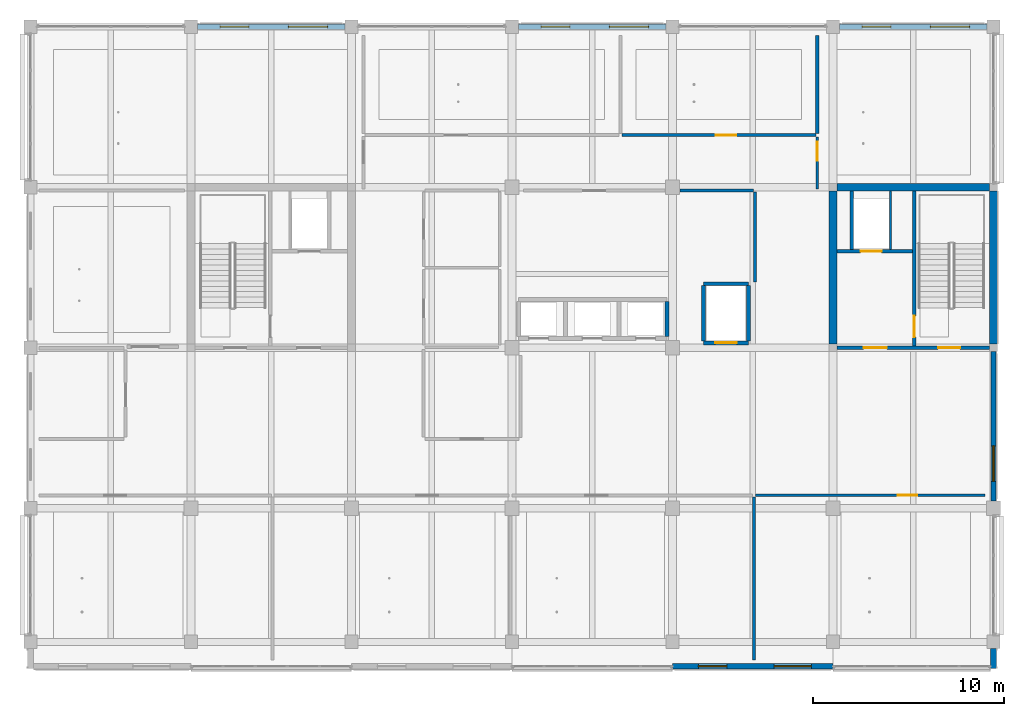
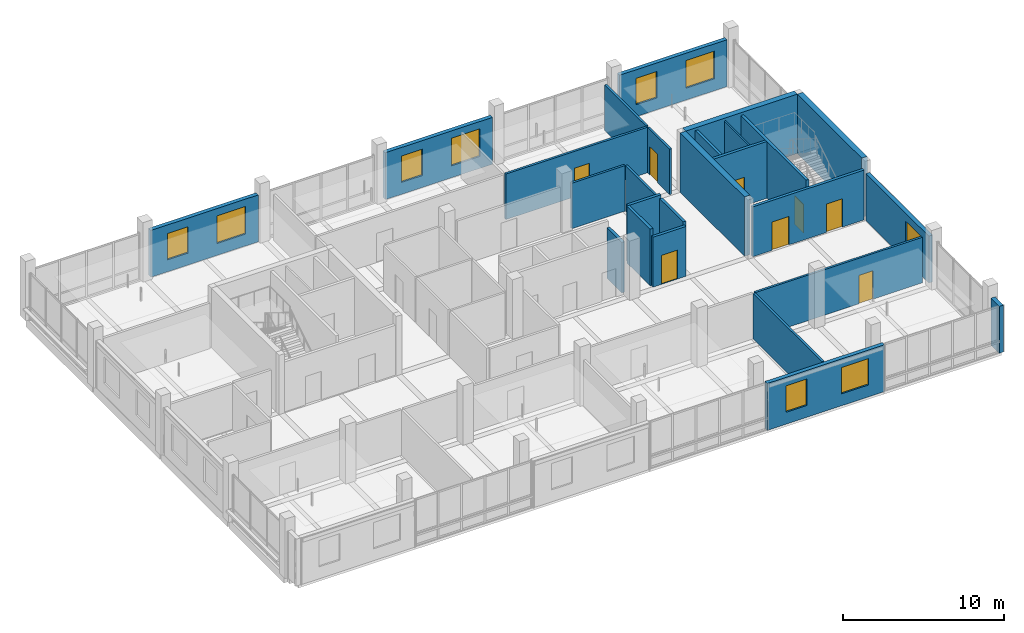
# One storey, part 13 of 32: 26 walls, 9 windows, 8 doors, 17 openings.
"""IFC4 building model written with IfcOpenShell, lengths in metres."""

from ifc_helpers import new_model, si_unit, direction, frame, frame_2d, origin, place, context, subcontext, project, spatial, rectangle, extrude, material, layer, layer_set, type_object, element, fill, save


model = new_model("IFC4")

# Units and contexts
model_context = context("Model", 3, precision=1e-05, world=origin(), true_north=direction((0.0, 1.0)))
body_context = subcontext(model_context, "Body", "Model", "MODEL_VIEW")
ifc_project = project(units=[si_unit("LENGTHUNIT", "METRE"), si_unit("AREAUNIT", "SQUARE_METRE"), si_unit("VOLUMEUNIT", "CUBIC_METRE"), si_unit("PLANEANGLEUNIT", "RADIAN"), si_unit("MASSUNIT", "GRAM", prefix="KILO")], contexts=[model_context])

# Site, building, storey
site_placement = place(None, origin())
site = spatial("IfcSite", under=ifc_project, at=site_placement, CompositionType="ELEMENT")
building_placement = place(site_placement, origin())
building = spatial("IfcBuilding", under=site, at=building_placement, Name="Telukmera Botanical Conservatory", CompositionType="ELEMENT")
storey_placement = place(building_placement, frame((0.0, 0.0, 42.0)))
storey = spatial("IfcBuildingStorey", under=building, at=storey_placement, Name="L09", CompositionType="ELEMENT", Elevation=42.0)

# Wall, openings, windows
ifc_material_1 = material(Name="Precast concrete C40/50", Category="concrete")
ifc_layer_1 = layer(ifc_material_1, 0.280029296875)
ifc_layer_set_1 = layer_set([ifc_layer_1], Name="Precast concrete C40/50")
wall_type_1 = type_object("IfcWallType", Name="Exterior Laboratory Modular Precast Wall 280", PredefinedType="ELEMENTEDWALL", material=ifc_layer_set_1)
wall_1_placement = place(storey_placement, frame((84.001953125, 9.320068359375, 0.0), z_axis=(0.0, 0.0, 1.0), x_axis=(1.0, 0.0, 0.0)))
wall_1 = element("IfcWall", 1, at=wall_1_placement, inside=storey, type_object=wall_type_1, Name="Exterior Precast Wall EW06 V4:L09:S5", PredefinedType="ELEMENTEDWALL", context=body_context, shape_type="SweptSolid", body=[
    extrude(rectangle(XDim=8.39599609375, YDim=0.280029296875, at=frame_2d((4.197998046875, 0.0))), origin(), (0.0, 0.0, 1.0), 3.550048828125),
])
opening_1_placement = place(wall_1_placement, frame((1.34912109375, 0.0, 0.89990234375)))
opening_1 = element("IfcOpeningElement", 2, at=opening_1_placement, cuts=wall_1, Name="Opening W06", PredefinedType="OPENING", context=body_context, shape_type="SweptSolid", body=[
    extrude(rectangle(XDim=1.5, YDim=2.0, at=frame_2d((0.75, 1.0))), frame((0.0, 0.14990234375, 0.0), z_axis=(0.0, -1.0, 0.0), x_axis=(1.0, 0.0, 0.0)), (0.0, 0.0, 1.0), 0.300048828125),
])
opening_2_placement = place(wall_1_placement, frame((5.322021484375, 0.0, 0.89990234375)))
opening_2 = element("IfcOpeningElement", 3, at=opening_2_placement, cuts=wall_1, Name="Opening W13", PredefinedType="OPENING", context=body_context, shape_type="SweptSolid", body=[
    extrude(rectangle(XDim=1.949951171875, YDim=2.0, at=frame_2d((0.97509765625, 1.0))), frame((0.0, 0.14990234375, 0.0), z_axis=(0.0, -1.0, 0.0), x_axis=(1.0, 0.0, 0.0)), (0.0, 0.0, 1.0), 0.300048828125),
])
ifc_material_2 = material(Name="Thermally broken anodised aluminium frame with low-E double glazing", Category="aluminium")
window_type_1 = type_object("IfcWindowType", Name="Double Vertical Laboratory Viewing Window 1500x2000", PartitioningType="DOUBLE_PANEL_VERTICAL", PredefinedType="WINDOW", material=ifc_material_2)
window_1_placement = place(opening_1_placement, origin())
window_1 = element("IfcWindow", 4, at=window_1_placement, inside=storey, type_object=window_type_1, Name="Facade Window W06 V4:L09:S5 1", OverallHeight=2.0, OverallWidth=1.5, PartitioningType="DOUBLE_PANEL_VERTICAL", PredefinedType="WINDOW", context=body_context, shape_type="SweptSolid", body=[
    extrude(rectangle(XDim=1.5, YDim=2.0, at=frame_2d((0.75, 1.0))), frame((0.0, 0.030029296875, 0.0), z_axis=(0.0, -1.0, 0.0), x_axis=(1.0, 0.0, 0.0)), (0.0, 0.0, 1.0), 0.06005859375),
])
fill(opening_1, window_1)
window_type_2 = type_object("IfcWindowType", Name="Triple Vertical Tissue Culture Lab Window 1950x2000", PartitioningType="TRIPLE_PANEL_VERTICAL", PredefinedType="WINDOW", material=ifc_material_2)
window_2_placement = place(opening_2_placement, origin())
window_2 = element("IfcWindow", 5, at=window_2_placement, inside=storey, type_object=window_type_2, Name="Facade Window W13 V4:L09:S5 2", OverallHeight=2.0, OverallWidth=1.949951171875, PartitioningType="TRIPLE_PANEL_VERTICAL", PredefinedType="WINDOW", context=body_context, shape_type="SweptSolid", body=[
    extrude(rectangle(XDim=1.949951171875, YDim=2.0, at=frame_2d((0.97509765625, 1.0))), frame((0.0, 0.030029296875, 0.0), z_axis=(0.0, -1.0, 0.0), x_axis=(1.0, 0.0, 0.0)), (0.0, 0.0, 1.0), 0.06005859375),
])
fill(opening_2, window_2)

wall_2_placement = place(storey_placement, frame((59.152099609375, 42.800048828125, 0.0), z_axis=(0.0, 0.0, 1.0), x_axis=(1.0, 0.0, 0.0)))
wall_2 = element("IfcWall", 6, at=wall_2_placement, inside=storey, type_object=wall_type_1, Name="Exterior Precast Wall EW06 V4:L09:N2", PredefinedType="ELEMENTEDWALL", context=body_context, shape_type="SweptSolid", body=[
    extrude(rectangle(XDim=7.69580078125, YDim=0.280029296875, at=frame_2d((3.847900390625, 0.0))), origin(), (0.0, 0.0, 1.0), 3.550048828125),
])
opening_3_placement = place(wall_2_placement, frame((1.174072265625, 0.0, 0.89990234375)))
opening_3 = element("IfcOpeningElement", 7, at=opening_3_placement, cuts=wall_2, Name="Opening W06", PredefinedType="OPENING", context=body_context, shape_type="SweptSolid", body=[
    extrude(rectangle(XDim=1.5, YDim=2.0, at=frame_2d((0.75, 1.0))), frame((0.0, 0.14990234375, 0.0), z_axis=(0.0, -1.0, 0.0), x_axis=(1.0, 0.0, 0.0)), (0.0, 0.0, 1.0), 0.300048828125),
])
opening_4_placement = place(wall_2_placement, frame((4.7470703125, 0.0, 0.89990234375)))
opening_4 = element("IfcOpeningElement", 8, at=opening_4_placement, cuts=wall_2, Name="Opening W14", PredefinedType="OPENING", context=body_context, shape_type="SweptSolid", body=[
    extrude(rectangle(XDim=2.050048828125, YDim=2.10009765625, at=frame_2d((1.02490234375, 1.050048828125))), frame((0.0, 0.14990234375, 0.0), z_axis=(0.0, -1.0, 0.0), x_axis=(1.0, 0.0, 0.0)), (0.0, 0.0, 1.0), 0.300048828125),
])
window_3_placement = place(opening_3_placement, origin())
window_3 = element("IfcWindow", 9, at=window_3_placement, inside=storey, type_object=window_type_1, Name="Facade Window W06 V4:L09:N2 1", OverallHeight=2.0, OverallWidth=1.5, PartitioningType="DOUBLE_PANEL_VERTICAL", PredefinedType="WINDOW", context=body_context, shape_type="SweptSolid", body=[
    extrude(rectangle(XDim=1.5, YDim=2.0, at=frame_2d((0.75, 1.0))), frame((0.0, 0.030029296875, 0.0), z_axis=(0.0, -1.0, 0.0), x_axis=(1.0, 0.0, 0.0)), (0.0, 0.0, 1.0), 0.06005859375),
])
fill(opening_3, window_3)
window_type_3 = type_object("IfcWindowType", Name="Triple Vertical Microscopy Lab Window 2050x2100", PartitioningType="TRIPLE_PANEL_VERTICAL", PredefinedType="WINDOW", material=ifc_material_2)
window_4_placement = place(opening_4_placement, origin())
window_4 = element("IfcWindow", 10, at=window_4_placement, inside=storey, type_object=window_type_3, Name="Facade Window W14 V4:L09:N2 2", OverallHeight=2.10009765625, OverallWidth=2.050048828125, PartitioningType="TRIPLE_PANEL_VERTICAL", PredefinedType="WINDOW", context=body_context, shape_type="SweptSolid", body=[
    extrude(rectangle(XDim=2.050048828125, YDim=2.10009765625, at=frame_2d((1.02490234375, 1.050048828125))), frame((0.0, 0.030029296875, 0.0), z_axis=(0.0, -1.0, 0.0), x_axis=(1.0, 0.0, 0.0)), (0.0, 0.0, 1.0), 0.06005859375),
])
fill(opening_4, window_4)

wall_3_placement = place(storey_placement, frame((75.951904296875, 42.800048828125, 0.0), z_axis=(0.0, 0.0, 1.0), x_axis=(1.0, 0.0, 0.0)))
wall_3 = element("IfcWall", 11, at=wall_3_placement, inside=storey, type_object=wall_type_1, Name="Exterior Precast Wall EW06 V4:L09:N4", PredefinedType="ELEMENTEDWALL", context=body_context, shape_type="SweptSolid", body=[
    extrude(rectangle(XDim=7.696044921875, YDim=0.280029296875, at=frame_2d((3.84814453125, 0.0))), origin(), (0.0, 0.0, 1.0), 3.550048828125),
])
opening_5_placement = place(wall_3_placement, frame((1.174072265625, 0.0, 0.89990234375)))
opening_5 = element("IfcOpeningElement", 12, at=opening_5_placement, cuts=wall_3, Name="Opening W06", PredefinedType="OPENING", context=body_context, shape_type="SweptSolid", body=[
    extrude(rectangle(XDim=1.5, YDim=2.0, at=frame_2d((0.75, 1.0))), frame((0.0, 0.14990234375, 0.0), z_axis=(0.0, -1.0, 0.0), x_axis=(1.0, 0.0, 0.0)), (0.0, 0.0, 1.0), 0.300048828125),
])
opening_6_placement = place(wall_3_placement, frame((4.7470703125, 0.0, 0.89990234375)))
opening_6 = element("IfcOpeningElement", 13, at=opening_6_placement, cuts=wall_3, Name="Opening W14", PredefinedType="OPENING", context=body_context, shape_type="SweptSolid", body=[
    extrude(rectangle(XDim=2.050048828125, YDim=2.10009765625, at=frame_2d((1.02490234375, 1.050048828125))), frame((0.0, 0.14990234375, 0.0), z_axis=(0.0, -1.0, 0.0), x_axis=(1.0, 0.0, 0.0)), (0.0, 0.0, 1.0), 0.300048828125),
])
window_5_placement = place(opening_5_placement, origin())
window_5 = element("IfcWindow", 14, at=window_5_placement, inside=storey, type_object=window_type_1, Name="Facade Window W06 V4:L09:N4 1", OverallHeight=2.0, OverallWidth=1.5, PartitioningType="DOUBLE_PANEL_VERTICAL", PredefinedType="WINDOW", context=body_context, shape_type="SweptSolid", body=[
    extrude(rectangle(XDim=1.5, YDim=2.0, at=frame_2d((0.75, 1.0))), frame((0.0, 0.030029296875, 0.0), z_axis=(0.0, -1.0, 0.0), x_axis=(1.0, 0.0, 0.0)), (0.0, 0.0, 1.0), 0.06005859375),
])
fill(opening_5, window_5)
window_6_placement = place(opening_6_placement, origin())
window_6 = element("IfcWindow", 15, at=window_6_placement, inside=storey, type_object=window_type_3, Name="Facade Window W14 V4:L09:N4 2", OverallHeight=2.10009765625, OverallWidth=2.050048828125, PartitioningType="TRIPLE_PANEL_VERTICAL", PredefinedType="WINDOW", context=body_context, shape_type="SweptSolid", body=[
    extrude(rectangle(XDim=2.050048828125, YDim=2.10009765625, at=frame_2d((1.02490234375, 1.050048828125))), frame((0.0, 0.030029296875, 0.0), z_axis=(0.0, -1.0, 0.0), x_axis=(1.0, 0.0, 0.0)), (0.0, 0.0, 1.0), 0.06005859375),
])
fill(opening_6, window_6)

wall_4_placement = place(storey_placement, frame((92.751953125, 42.800048828125, 0.0), z_axis=(0.0, 0.0, 1.0), x_axis=(1.0, 0.0, 0.0)))
wall_4 = element("IfcWall", 16, at=wall_4_placement, inside=storey, type_object=wall_type_1, Name="Exterior Precast Wall EW06 V4:L09:N6", PredefinedType="ELEMENTEDWALL", context=body_context, shape_type="SweptSolid", body=[
    extrude(rectangle(XDim=7.696044921875, YDim=0.280029296875, at=frame_2d((3.84814453125, 0.0))), origin(), (0.0, 0.0, 1.0), 3.550048828125),
])
opening_7_placement = place(wall_4_placement, frame((1.174072265625, 0.0, 0.89990234375)))
opening_7 = element("IfcOpeningElement", 17, at=opening_7_placement, cuts=wall_4, Name="Opening W06", PredefinedType="OPENING", context=body_context, shape_type="SweptSolid", body=[
    extrude(rectangle(XDim=1.5, YDim=2.0, at=frame_2d((0.75, 1.0))), frame((0.0, 0.14990234375, 0.0), z_axis=(0.0, -1.0, 0.0), x_axis=(1.0, 0.0, 0.0)), (0.0, 0.0, 1.0), 0.300048828125),
])
opening_8_placement = place(wall_4_placement, frame((4.7470703125, 0.0, 0.89990234375)))
opening_8 = element("IfcOpeningElement", 18, at=opening_8_placement, cuts=wall_4, Name="Opening W14", PredefinedType="OPENING", context=body_context, shape_type="SweptSolid", body=[
    extrude(rectangle(XDim=2.050048828125, YDim=2.10009765625, at=frame_2d((1.02490234375, 1.050048828125))), frame((0.0, 0.14990234375, 0.0), z_axis=(0.0, -1.0, 0.0), x_axis=(1.0, 0.0, 0.0)), (0.0, 0.0, 1.0), 0.300048828125),
])
window_7_placement = place(opening_7_placement, origin())
window_7 = element("IfcWindow", 19, at=window_7_placement, inside=storey, type_object=window_type_1, Name="Facade Window W06 V4:L09:N6 1", OverallHeight=2.0, OverallWidth=1.5, PartitioningType="DOUBLE_PANEL_VERTICAL", PredefinedType="WINDOW", context=body_context, shape_type="SweptSolid", body=[
    extrude(rectangle(XDim=1.5, YDim=2.0, at=frame_2d((0.75, 1.0))), frame((0.0, 0.030029296875, 0.0), z_axis=(0.0, -1.0, 0.0), x_axis=(1.0, 0.0, 0.0)), (0.0, 0.0, 1.0), 0.06005859375),
])
fill(opening_7, window_7)
window_8_placement = place(opening_8_placement, origin())
window_8 = element("IfcWindow", 20, at=window_8_placement, inside=storey, type_object=window_type_3, Name="Facade Window W14 V4:L09:N6 2", OverallHeight=2.10009765625, OverallWidth=2.050048828125, PartitioningType="TRIPLE_PANEL_VERTICAL", PredefinedType="WINDOW", context=body_context, shape_type="SweptSolid", body=[
    extrude(rectangle(XDim=2.050048828125, YDim=2.10009765625, at=frame_2d((1.02490234375, 1.050048828125))), frame((0.0, 0.030029296875, 0.0), z_axis=(0.0, -1.0, 0.0), x_axis=(1.0, 0.0, 0.0)), (0.0, 0.0, 1.0), 0.06005859375),
])
fill(opening_8, window_8)

# Wall, opening, window
wall_5_placement = place(storey_placement, frame((100.800048828125, 17.97705078125, 0.0), z_axis=(0.0, 0.0, 1.0), x_axis=(0.0, 1.0, 0.0)))
wall_5 = element("IfcWall", 21, at=wall_5_placement, inside=storey, type_object=wall_type_1, Name="Exterior Precast Wall EW06 V4:L09:E2", PredefinedType="ELEMENTEDWALL", context=body_context, shape_type="SweptSolid", body=[
    extrude(rectangle(XDim=7.821044921875, YDim=0.280029296875, at=frame_2d((3.91064453125, 0.0))), origin(), (0.0, 0.0, 1.0), 3.550048828125),
])
opening_9_placement = place(wall_5_placement, frame((1.0302734375, 0.0, 0.89990234375)))
opening_9 = element("IfcOpeningElement", 22, at=opening_9_placement, cuts=wall_5, Name="Opening W12", PredefinedType="OPENING", context=body_context, shape_type="SweptSolid", body=[
    extrude(rectangle(XDim=1.85009765625, YDim=2.050048828125, at=frame_2d((0.925048828125, 1.02490234375))), frame((0.0, 0.14990234375, 0.0), z_axis=(0.0, -1.0, 0.0), x_axis=(1.0, 0.0, 0.0)), (0.0, 0.0, 1.0), 0.300048828125),
])
window_type_4 = type_object("IfcWindowType", Name="Double Horizontal Seminar Suite Window 1850x2050", PartitioningType="DOUBLE_PANEL_HORIZONTAL", PredefinedType="WINDOW", material=ifc_material_2)
window_9_placement = place(opening_9_placement, origin())
window_9 = element("IfcWindow", 23, at=window_9_placement, inside=storey, type_object=window_type_4, Name="Facade Window W12 V4:L09:E2 1", OverallHeight=2.050048828125, OverallWidth=1.85009765625, PartitioningType="DOUBLE_PANEL_HORIZONTAL", PredefinedType="WINDOW", context=body_context, shape_type="SweptSolid", body=[
    extrude(rectangle(XDim=1.85009765625, YDim=2.050048828125, at=frame_2d((0.925048828125, 1.02490234375))), frame((0.0, 0.030029296875, 0.0), z_axis=(0.0, -1.0, 0.0), x_axis=(1.0, 0.0, 0.0)), (0.0, 0.0, 1.0), 0.06005859375),
])
fill(opening_9, window_9)

# Wall
ifc_material_3 = material(Name="Terracotta-faced precast concrete C40/50", Category="masonry")
ifc_layer_2 = layer(ifc_material_3, 0.300048828125)
ifc_layer_set_2 = layer_set([ifc_layer_2], Name="Terracotta-faced precast concrete C40/50")
wall_type_2 = type_object("IfcWallType", Name="Exterior Polychrome Terracotta Precast Wall 300", PredefinedType="SOLIDWALL", material=ifc_layer_set_2)
wall_6_placement = place(storey_placement, frame((100.800048828125, 9.199951171875, 0.0), z_axis=(0.0, 0.0, 1.0), x_axis=(0.0, 1.0, 0.0)))
element("IfcWall", 24, at=wall_6_placement, inside=storey, type_object=wall_type_2, Name="Exterior Precast Wall EW02 V4:L09:SEC", PredefinedType="SOLIDWALL", context=body_context, shape_type="SweptSolid", body=[
    extrude(rectangle(XDim=1.048095703125, YDim=0.300048828125, at=frame_2d((0.52392578125, 0.0))), origin(), (0.0, 0.0, 1.0), 3.550048828125),
])

# Wall, openings, doors
ifc_material_4 = material(Name="Concrete C40/50", Category="concrete")
ifc_layer_3 = layer(ifc_material_4, 0.199951171875)
ifc_layer_set_3 = layer_set([ifc_layer_3], Name="Concrete C40/50")
wall_type_3 = type_object("IfcWallType", Name="WT-CORE-200", PredefinedType="SOLIDWALL", material=ifc_layer_set_3)
wall_7_placement = place(storey_placement, frame((92.60009765625, 26.0, 0.0), z_axis=(0.0, 0.0, 1.0), x_axis=(1.0, 0.0, 0.0)))
wall_7 = element("IfcWall", 25, at=wall_7_placement, inside=storey, type_object=wall_type_3, Name="L09 Core C2 South Fire Wall", PredefinedType="SOLIDWALL", context=body_context, shape_type="SweptSolid", body=[
    extrude(rectangle(XDim=8.0, YDim=0.199951171875, at=frame_2d((4.0, 0.0))), origin(), (0.0, 0.0, 1.0), 3.780029296875),
])
opening_10_placement = place(wall_7_placement, frame((1.39990234375, 0.0, 0.0)))
opening_10 = element("IfcOpeningElement", 26, at=opening_10_placement, cuts=wall_7, Name="Opening FD60C", PredefinedType="OPENING", context=body_context, shape_type="SweptSolid", body=[
    extrude(rectangle(XDim=1.219970703125, YDim=2.14990234375, at=frame_2d((0.60986328125, 1.074951171875))), frame((0.0, 0.10986328125, 0.0), z_axis=(0.0, -1.0, 0.0), x_axis=(1.0, 0.0, 0.0)), (0.0, 0.0, 1.0), 0.219970703125),
])
opening_11_placement = place(wall_7_placement, frame((5.300048828125, 0.0, 0.0)))
opening_11 = element("IfcOpeningElement", 27, at=opening_11_placement, cuts=wall_7, Name="Opening FD60A", PredefinedType="OPENING", context=body_context, shape_type="SweptSolid", body=[
    extrude(rectangle(XDim=1.14990234375, YDim=2.14990234375, at=frame_2d((0.574951171875, 1.074951171875))), frame((0.0, 0.10986328125, 0.0), z_axis=(0.0, -1.0, 0.0), x_axis=(1.0, 0.0, 0.0)), (0.0, 0.0, 1.0), 0.219970703125),
])
ifc_material_5 = material(Name="Hardwood fire door", Category="wood")
door_type_1 = type_object("IfcDoorType", Name="DT-FD60-01", OperationType="NOTDEFINED", PredefinedType="DOOR", material=ifc_material_5)
door_1_placement = place(opening_11_placement, origin())
door_1 = element("IfcDoor", 28, at=door_1_placement, inside=storey, type_object=door_type_1, Name="L09 Stair ST2 Escape Door", OperationType="SINGLE_SWING_RIGHT", OverallHeight=2.14990234375, OverallWidth=1.14990234375, PredefinedType="DOOR", context=body_context, shape_type="SweptSolid", body=[
    extrude(rectangle(XDim=1.14990234375, YDim=2.14990234375, at=frame_2d((0.574951171875, 1.074951171875))), frame((0.0, 0.02490234375, 0.0), z_axis=(0.0, -1.0, 0.0), x_axis=(1.0, 0.0, 0.0)), (0.0, 0.0, 1.0), 0.050048828125),
])
fill(opening_11, door_1)
door_type_2 = type_object("IfcDoorType", Name="DT-FD60-03", OperationType="NOTDEFINED", PredefinedType="DOOR", material=ifc_material_5)
door_2_placement = place(opening_10_placement, origin())
door_2 = element("IfcDoor", 29, at=door_2_placement, inside=storey, type_object=door_type_2, Name="L09 Firefighting Lobby C2 Door", OperationType="SINGLE_SWING_LEFT", OverallHeight=2.14990234375, OverallWidth=1.219970703125, PredefinedType="DOOR", context=body_context, shape_type="SweptSolid", body=[
    extrude(rectangle(XDim=1.219970703125, YDim=2.14990234375, at=frame_2d((0.60986328125, 1.074951171875))), frame((0.0, 0.02490234375, 0.0), z_axis=(0.0, -1.0, 0.0), x_axis=(1.0, 0.0, 0.0)), (0.0, 0.0, 1.0), 0.050048828125),
])
fill(opening_10, door_2)

# Wall, opening, door
wall_8_placement = place(storey_placement, frame((96.64990234375, 26.10009765625, 0.0), z_axis=(0.0, 0.0, 1.0), x_axis=(0.0, 1.0, 0.0)))
wall_8 = element("IfcWall", 30, at=wall_8_placement, inside=storey, type_object=wall_type_3, Name="L09 Core C2 Stair-Lobby Wall", PredefinedType="SOLIDWALL", context=body_context, shape_type="SweptSolid", body=[
    extrude(rectangle(XDim=8.099853515625, YDim=0.199951171875, at=frame_2d((4.0498046875, 0.0))), origin(), (0.0, 0.0, 1.0), 4.300048828125),
])
opening_12_placement = place(wall_8_placement, frame((0.449951171875, 0.0, 0.0)))
opening_12 = element("IfcOpeningElement", 31, at=opening_12_placement, cuts=wall_8, Name="Opening FD60B", PredefinedType="OPENING", context=body_context, shape_type="SweptSolid", body=[
    extrude(rectangle(XDim=1.1201171875, YDim=2.14990234375, at=frame_2d((0.56005859375, 1.074951171875))), frame((0.0, 0.10986328125, 0.0), z_axis=(0.0, -1.0, 0.0), x_axis=(1.0, 0.0, 0.0)), (0.0, 0.0, 1.0), 0.219970703125),
])
door_type_3 = type_object("IfcDoorType", Name="DT-FD60-02", OperationType="NOTDEFINED", PredefinedType="DOOR", material=ifc_material_5)
door_3_placement = place(opening_12_placement, frame((1.1201171875, 0.0, 0.0), z_axis=(0.0, 0.0, 1.0), x_axis=(-1.0, 0.0, 0.0)))
door_3 = element("IfcDoor", 32, at=door_3_placement, inside=storey, type_object=door_type_3, Name="L09 Firefighting Lobby C2 to ST2 Door", OperationType="SINGLE_SWING_LEFT", OverallHeight=2.14990234375, OverallWidth=1.1201171875, PredefinedType="DOOR", context=body_context, shape_type="SweptSolid", body=[
    extrude(rectangle(XDim=1.1201171875, YDim=2.14990234375, at=frame_2d((0.56005859375, 1.074951171875))), frame((0.0, 0.02490234375, 0.0), z_axis=(0.0, -1.0, 0.0), x_axis=(1.0, 0.0, 0.0)), (0.0, 0.0, 1.0), 0.050048828125),
])
fill(opening_12, door_3)

wall_9_placement = place(storey_placement, frame((92.60009765625, 31.050048828125, 0.0), z_axis=(0.0, 0.0, 1.0), x_axis=(1.0, 0.0, 0.0)))
wall_9 = element("IfcWall", 33, at=wall_9_placement, inside=storey, type_object=wall_type_3, Name="L09 Fire Lift FL2 Shaft Front Wall", PredefinedType="SOLIDWALL", context=body_context, shape_type="SweptSolid", body=[
    extrude(rectangle(XDim=3.949951171875, YDim=0.199951171875, at=frame_2d((1.97509765625, 0.0))), origin(), (0.0, 0.0, 1.0), 4.300048828125),
])
opening_13_placement = place(wall_9_placement, frame((1.25, 0.0, 0.0)))
opening_13 = element("IfcOpeningElement", 34, at=opening_13_placement, cuts=wall_9, Name="Opening LD01", PredefinedType="OPENING", context=body_context, shape_type="SweptSolid", body=[
    extrude(rectangle(XDim=1.10009765625, YDim=2.14990234375, at=frame_2d((0.550048828125, 1.074951171875))), frame((0.0, 0.10986328125, 0.0), z_axis=(0.0, -1.0, 0.0), x_axis=(1.0, 0.0, 0.0)), (0.0, 0.0, 1.0), 0.219970703125),
])
ifc_material_6 = material(Name="Stainless steel 316", Category="steel")
door_type_4 = type_object("IfcDoorType", Name="DT-LD01", OperationType="SLIDING_TO_LEFT", PredefinedType="DOOR", material=ifc_material_6)
door_4_placement = place(opening_13_placement, frame((1.10009765625, 0.0, 0.0), z_axis=(0.0, 0.0, 1.0), x_axis=(-1.0, 0.0, 0.0)))
door_4 = element("IfcDoor", 35, at=door_4_placement, inside=storey, type_object=door_type_4, Name="L09 Lift Landing Door FL2", OperationType="SLIDING_TO_LEFT", OverallHeight=2.14990234375, OverallWidth=1.10009765625, PredefinedType="DOOR", context=body_context, shape_type="SweptSolid", body=[
    extrude(rectangle(XDim=1.10009765625, YDim=2.14990234375, at=frame_2d((0.550048828125, 1.074951171875))), frame((0.0, 0.02490234375, 0.0), z_axis=(0.0, -1.0, 0.0), x_axis=(1.0, 0.0, 0.0)), (0.0, 0.0, 1.0), 0.050048828125),
])
fill(opening_13, door_4)

# Walls
wall_10_placement = place(storey_placement, frame((93.3798828125, 31.14990234375, 0.0), z_axis=(0.0, 0.0, 1.0), x_axis=(0.0, 1.0, 0.0)))
element("IfcWall", 36, at=wall_10_placement, inside=storey, type_object=wall_type_3, Name="L09 Fire Lift FL2 Shaft West Wall", PredefinedType="SOLIDWALL", context=body_context, shape_type="SweptSolid", body=[
    extrude(rectangle(XDim=3.050048828125, YDim=0.199951171875, at=frame_2d((1.52490234375, 0.0))), origin(), (0.0, 0.0, 1.0), 4.300048828125),
])
wall_11_placement = place(storey_placement, frame((83.719970703125, 26.580078125, 0.0), z_axis=(0.0, 0.0, 1.0), x_axis=(0.0, 1.0, 0.0)))
element("IfcWall", 37, at=wall_11_placement, inside=storey, type_object=wall_type_3, Name="L09 Passenger Lift Shaft Wall 4", PredefinedType="SOLIDWALL", context=body_context, shape_type="SweptSolid", body=[
    extrude(rectangle(XDim=1.83984375, YDim=0.199951171875, at=frame_2d((0.919921875, 0.0))), origin(), (0.0, 0.0, 1.0), 3.830078125),
])

# Wall, opening, door
wall_12_placement = place(storey_placement, frame((85.6201171875, 26.25, 0.0), z_axis=(0.0, 0.0, 1.0), x_axis=(1.0, 0.0, 0.0)))
wall_12 = element("IfcWall", 38, at=wall_12_placement, inside=storey, type_object=wall_type_3, Name="L09 Goods Lift GL1 Front Wall", PredefinedType="SOLIDWALL", context=body_context, shape_type="SweptSolid", body=[
    extrude(rectangle(XDim=2.35986328125, YDim=0.199951171875, at=frame_2d((1.179931640625, 0.0))), origin(), (0.0, 0.0, 1.0), 3.780029296875),
])
opening_14_placement = place(wall_12_placement, frame((0.60498046875, 0.0, 0.0)))
opening_14 = element("IfcOpeningElement", 39, at=opening_14_placement, cuts=wall_12, Name="Opening LD02", PredefinedType="OPENING", context=body_context, shape_type="SweptSolid", body=[
    extrude(rectangle(XDim=1.14990234375, YDim=2.199951171875, at=frame_2d((0.574951171875, 1.10009765625))), frame((0.0, 0.10986328125, 0.0), z_axis=(0.0, -1.0, 0.0), x_axis=(1.0, 0.0, 0.0)), (0.0, 0.0, 1.0), 0.219970703125),
])
door_type_5 = type_object("IfcDoorType", Name="DT-LD02", OperationType="SLIDING_TO_LEFT", PredefinedType="DOOR", material=ifc_material_6)
door_5_placement = place(opening_14_placement, frame((1.14990234375, 0.0, 0.0), z_axis=(0.0, 0.0, 1.0), x_axis=(-1.0, 0.0, 0.0)))
door_5 = element("IfcDoor", 40, at=door_5_placement, inside=storey, type_object=door_type_5, Name="L09 Lift Landing Door GL1", OperationType="SLIDING_TO_LEFT", OverallHeight=2.199951171875, OverallWidth=1.14990234375, PredefinedType="DOOR", context=body_context, shape_type="SweptSolid", body=[
    extrude(rectangle(XDim=1.14990234375, YDim=2.199951171875, at=frame_2d((0.574951171875, 1.10009765625))), frame((0.0, 0.02490234375, 0.0), z_axis=(0.0, -1.0, 0.0), x_axis=(1.0, 0.0, 0.0)), (0.0, 0.0, 1.0), 0.050048828125),
])
fill(opening_14, door_5)

# Walls
wall_13_placement = place(storey_placement, frame((85.6201171875, 29.35009765625, 0.0), z_axis=(0.0, 0.0, 1.0), x_axis=(1.0, 0.0, 0.0)))
element("IfcWall", 41, at=wall_13_placement, inside=storey, type_object=wall_type_3, Name="L09 Goods Lift GL1 Rear Wall", PredefinedType="SOLIDWALL", context=body_context, shape_type="SweptSolid", body=[
    extrude(rectangle(XDim=2.35986328125, YDim=0.199951171875, at=frame_2d((1.179931640625, 0.0))), origin(), (0.0, 0.0, 1.0), 4.300048828125),
])
wall_14_placement = place(storey_placement, frame((85.6201171875, 26.35009765625, 0.0), z_axis=(0.0, 0.0, 1.0), x_axis=(0.0, 1.0, 0.0)))
element("IfcWall", 42, at=wall_14_placement, inside=storey, type_object=wall_type_3, Name="L09 Goods Lift GL1 Side Wall 1", PredefinedType="SOLIDWALL", context=body_context, shape_type="SweptSolid", body=[
    extrude(rectangle(XDim=2.89990234375, YDim=0.199951171875, at=frame_2d((1.449951171875, 0.0))), origin(), (0.0, 0.0, 1.0), 4.300048828125),
])
wall_15_placement = place(storey_placement, frame((87.97998046875, 26.35009765625, 0.0), z_axis=(0.0, 0.0, 1.0), x_axis=(0.0, 1.0, 0.0)))
element("IfcWall", 43, at=wall_15_placement, inside=storey, type_object=wall_type_3, Name="L09 Goods Lift GL1 Side Wall 2", PredefinedType="SOLIDWALL", context=body_context, shape_type="SweptSolid", body=[
    extrude(rectangle(XDim=2.89990234375, YDim=0.199951171875, at=frame_2d((1.449951171875, 0.0))), origin(), (0.0, 0.0, 1.0), 4.030029296875),
])
ifc_material_7 = material(Name="Gypsum acoustic stud partition")
ifc_layer_4 = layer(ifc_material_7, 0.159912109375)
ifc_layer_set_4 = layer_set([ifc_layer_4], Name="Gypsum acoustic stud partition")
wall_type_4 = type_object("IfcWallType", Name="WT-LAB-160", PredefinedType="PARTITIONING", material=ifc_layer_set_4)
wall_16_placement = place(storey_placement, frame((88.324951171875, 29.449951171875, 0.0), z_axis=(0.0, 0.0, 1.0), x_axis=(0.0, 1.0, 0.0)))
element("IfcWall", 44, at=wall_16_placement, inside=storey, type_object=wall_type_4, Name="L09 Interior Partition 06", PredefinedType="PARTITIONING", context=body_context, shape_type="SweptSolid", body=[
    extrude(rectangle(XDim=4.699951171875, YDim=0.159912109375, at=frame_2d((2.35009765625, 0.0))), origin(), (0.0, 0.0, 1.0), 3.449951171875),
])
wall_17_placement = place(storey_placement, frame((84.405029296875, 34.22509765625, 0.0), z_axis=(0.0, 0.0, 1.0), x_axis=(1.0, 0.0, 0.0)))
element("IfcWall", 45, at=wall_17_placement, inside=storey, type_object=wall_type_4, Name="L09 Interior Partition 08", PredefinedType="PARTITIONING", context=body_context, shape_type="SweptSolid", body=[
    extrude(rectangle(XDim=3.830078125, YDim=0.159912109375, at=frame_2d((1.9150390625, 0.0))), origin(), (0.0, 0.0, 1.0), 3.449951171875),
])
wall_18_placement = place(storey_placement, frame((88.27490234375, 9.64990234375, 0.0), z_axis=(0.0, 0.0, 1.0), x_axis=(0.0, 1.0, 0.0)))
element("IfcWall", 46, at=wall_18_placement, inside=storey, type_object=wall_type_4, Name="L09 Interior Partition 23", PredefinedType="PARTITIONING", context=body_context, shape_type="SweptSolid", body=[
    extrude(rectangle(XDim=8.53515625, YDim=0.159912109375, at=frame_2d((4.267578125, 0.0))), origin(), (0.0, 0.0, 1.0), 3.449951171875),
])

# Wall, opening, door
wall_19_placement = place(storey_placement, frame((81.35009765625, 37.125, 0.0), z_axis=(0.0, 0.0, 1.0), x_axis=(1.0, 0.0, 0.0)))
wall_19 = element("IfcWall", 47, at=wall_19_placement, inside=storey, type_object=wall_type_4, Name="L09 Interior Partition 26", PredefinedType="PARTITIONING", context=body_context, shape_type="SweptSolid", body=[
    extrude(rectangle(XDim=10.14990234375, YDim=0.159912109375, at=frame_2d((5.074951171875, 0.0))), origin(), (0.0, 0.0, 1.0), 3.449951171875),
])
opening_15_placement = place(wall_19_placement, frame((4.921875, 0.0, 0.0)))
opening_15 = element("IfcOpeningElement", 48, at=opening_15_placement, cuts=wall_19, Name="Opening ID12", PredefinedType="OPENING", context=body_context, shape_type="SweptSolid", body=[
    extrude(rectangle(XDim=1.06005859375, YDim=2.179931640625, at=frame_2d((0.530029296875, 1.08984375))), frame((0.0, 0.08984375, 0.0), z_axis=(0.0, -1.0, 0.0), x_axis=(1.0, 0.0, 0.0)), (0.0, 0.0, 1.0), 0.179931640625),
])
ifc_material_8 = material(Name="Light-tight microscopy door")
door_type_6 = type_object("IfcDoorType", Name="DT-MIC-106", OperationType="NOTDEFINED", PredefinedType="DOOR", material=ifc_material_8)
door_6_placement = place(opening_15_placement, origin())
door_6 = element("IfcDoor", 49, at=door_6_placement, inside=storey, type_object=door_type_6, Name="L09 Isotope Ratio Spectroscopy Room Door", OperationType="SINGLE_SWING_LEFT", OverallHeight=2.179931640625, OverallWidth=1.06005859375, PredefinedType="DOOR", context=body_context, shape_type="SweptSolid", body=[
    extrude(rectangle(XDim=1.06005859375, YDim=2.179931640625, at=frame_2d((0.530029296875, 1.08984375))), frame((0.0, 0.02490234375, 0.0), z_axis=(0.0, -1.0, 0.0), x_axis=(1.0, 0.0, 0.0)), (0.0, 0.0, 1.0), 0.050048828125),
])
fill(opening_15, door_6)

# Walls
wall_20_placement = place(storey_placement, frame((91.574951171875, 37.215087890625, 0.0), z_axis=(0.0, 0.0, 1.0), x_axis=(0.0, 1.0, 0.0)))
element("IfcWall", 50, at=wall_20_placement, inside=storey, type_object=wall_type_4, Name="L09 Interior Partition 30", PredefinedType="PARTITIONING", context=body_context, shape_type="SweptSolid", body=[
    extrude(rectangle(XDim=5.135009765625, YDim=0.159912109375, at=frame_2d((2.5673828125, 0.0))), origin(), (0.0, 0.0, 1.0), 3.449951171875),
])
ifc_material_9 = material(Name="Gypsum shaftwall liner")
ifc_layer_5 = layer(ifc_material_9, 0.110107421875)
ifc_layer_set_5 = layer_set([ifc_layer_5], Name="Gypsum shaftwall liner")
wall_type_5 = type_object("IfcWallType", Name="WT-RISER-110", PredefinedType="PARTITIONING", material=ifc_layer_set_5)
wall_21_placement = place(storey_placement, frame((95.419921875, 31.14990234375, 0.0), z_axis=(0.0, 0.0, 1.0), x_axis=(0.0, 1.0, 0.0)))
element("IfcWall", 51, at=wall_21_placement, inside=storey, type_object=wall_type_5, Name="L09 Wet Riser C2 Shaft Wall", PredefinedType="PARTITIONING", context=body_context, shape_type="SweptSolid", body=[
    extrude(rectangle(XDim=3.050048828125, YDim=0.110107421875, at=frame_2d((1.52490234375, 0.0))), origin(), (0.0, 0.0, 1.0), 4.300048828125),
])

# Wall, opening, door
ifc_layer_6 = layer(ifc_material_7, 0.14990234375)
ifc_layer_set_6 = layer_set([ifc_layer_6], Name="Gypsum acoustic stud partition")
wall_type_6 = type_object("IfcWallType", Name="WT-STD-150", PredefinedType="PARTITIONING", material=ifc_layer_set_6)
wall_22_placement = place(storey_placement, frame((88.35009765625, 18.27490234375, 0.0), z_axis=(0.0, 0.0, 1.0), x_axis=(1.0, 0.0, 0.0)))
wall_22 = element("IfcWall", 52, at=wall_22_placement, inside=storey, type_object=wall_type_6, Name="L09 Interior Partition 18", PredefinedType="PARTITIONING", context=body_context, shape_type="SweptSolid", body=[
    extrude(rectangle(XDim=12.0, YDim=0.14990234375, at=frame_2d((6.0, 0.0))), origin(), (0.0, 0.0, 1.0), 3.449951171875),
])
opening_16_placement = place(wall_22_placement, frame((7.449951171875, 0.0, 0.0)))
opening_16 = element("IfcOpeningElement", 53, at=opening_16_placement, cuts=wall_22, Name="Opening ID14", PredefinedType="OPENING", context=body_context, shape_type="SweptSolid", body=[
    extrude(rectangle(XDim=1.0, YDim=2.14990234375, at=frame_2d((0.5, 1.074951171875))), frame((0.0, 0.0849609375, 0.0), z_axis=(0.0, -1.0, 0.0), x_axis=(1.0, 0.0, 0.0)), (0.0, 0.0, 1.0), 0.169921875),
])
ifc_material_10 = material(Name="Acoustic timber office door", Category="wood")
door_type_7 = type_object("IfcDoorType", Name="DT-WRT-100", OperationType="NOTDEFINED", PredefinedType="DOOR", material=ifc_material_10)
door_7_placement = place(opening_16_placement, frame((1.0, 0.0, 0.0), z_axis=(0.0, 0.0, 1.0), x_axis=(-1.0, 0.0, 0.0)))
door_7 = element("IfcDoor", 54, at=door_7_placement, inside=storey, type_object=door_type_7, Name="L09 Laboratory Write-Up Studio Door", OperationType="SINGLE_SWING_RIGHT", OverallHeight=2.14990234375, OverallWidth=1.0, PredefinedType="DOOR", context=body_context, shape_type="SweptSolid", body=[
    extrude(rectangle(XDim=1.0, YDim=2.14990234375, at=frame_2d((0.5, 1.074951171875))), frame((0.0, 0.02490234375, 0.0), z_axis=(0.0, -1.0, 0.0), x_axis=(1.0, 0.0, 0.0)), (0.0, 0.0, 1.0), 0.050048828125),
])
fill(opening_16, door_7)

wall_23_placement = place(storey_placement, frame((91.574951171875, 34.300048828125, 0.0), z_axis=(0.0, 0.0, 1.0), x_axis=(0.0, 1.0, 0.0)))
wall_23 = element("IfcWall", 55, at=wall_23_placement, inside=storey, type_object=wall_type_6, Name="L09 Interior Partition 27", PredefinedType="PARTITIONING", context=body_context, shape_type="SweptSolid", body=[
    extrude(rectangle(XDim=2.73486328125, YDim=0.14990234375, at=frame_2d((1.367431640625, 0.0))), origin(), (0.0, 0.0, 1.0), 3.449951171875),
])
opening_17_placement = place(wall_23_placement, frame((1.485107421875, 0.0, 0.0)))
opening_17 = element("IfcOpeningElement", 56, at=opening_17_placement, cuts=wall_23, Name="Opening ID14", PredefinedType="OPENING", context=body_context, shape_type="SweptSolid", body=[
    extrude(rectangle(XDim=1.0, YDim=2.14990234375, at=frame_2d((0.5, 1.074951171875))), frame((0.0, 0.0849609375, 0.0), z_axis=(0.0, -1.0, 0.0), x_axis=(1.0, 0.0, 0.0)), (0.0, 0.0, 1.0), 0.169921875),
])
door_8_placement = place(opening_17_placement, frame((1.0, 0.0, 0.0), z_axis=(0.0, 0.0, 1.0), x_axis=(-1.0, 0.0, 0.0)))
door_8 = element("IfcDoor", 57, at=door_8_placement, inside=storey, type_object=door_type_7, Name="L09 Botanical Research Write-Up Studio Door", OperationType="SINGLE_SWING_RIGHT", OverallHeight=2.14990234375, OverallWidth=1.0, PredefinedType="DOOR", context=body_context, shape_type="SweptSolid", body=[
    extrude(rectangle(XDim=1.0, YDim=2.14990234375, at=frame_2d((0.5, 1.074951171875))), frame((0.0, 0.02490234375, 0.0), z_axis=(0.0, -1.0, 0.0), x_axis=(1.0, 0.0, 0.0)), (0.0, 0.0, 1.0), 0.050048828125),
])
fill(opening_17, door_8)

# Walls
ifc_material_11 = material(Name="Concrete C50/60", Category="concrete")
ifc_layer_7 = layer(ifc_material_11, 0.39990234375)
ifc_layer_set_7 = layer_set([ifc_layer_7], Name="Concrete C50/60")
wall_type_7 = type_object("IfcWallType", Name="Wall_CW1", PredefinedType="SHEAR", material=ifc_layer_set_7)
for number, where, z_axis, x_axis, name in (
    (58, (92.39990234375, 26.199951171875, 0.0), (0.0, 0.0, 1.0), (0.0, 1.0, 0.0), "Core C2 Shear Wall West L09"),
    (59, (100.800048828125, 26.199951171875, 0.0), (0.0, 0.0, 1.0), (0.0, 1.0, 0.0), "Core C2 Shear Wall East L09"),
    (60, (92.60009765625, 34.39990234375, 0.0), (0.0, 0.0, 1.0), (1.0, 0.0, 0.0), "Core C2 Shear Wall North L09"),
):
    element("IfcWall", number, at=place(storey_placement, frame(where, z_axis=z_axis, x_axis=x_axis)), inside=storey, type_object=wall_type_7, Name=name, PredefinedType="SHEAR", context=body_context, shape_type="SweptSolid", body=[
        extrude(rectangle(XDim=8.0, YDim=0.39990234375, at=frame_2d((4.0, 0.0))), origin(), (0.0, 0.0, 1.0), 4.5),
    ])

save(model, "model.ifc")
